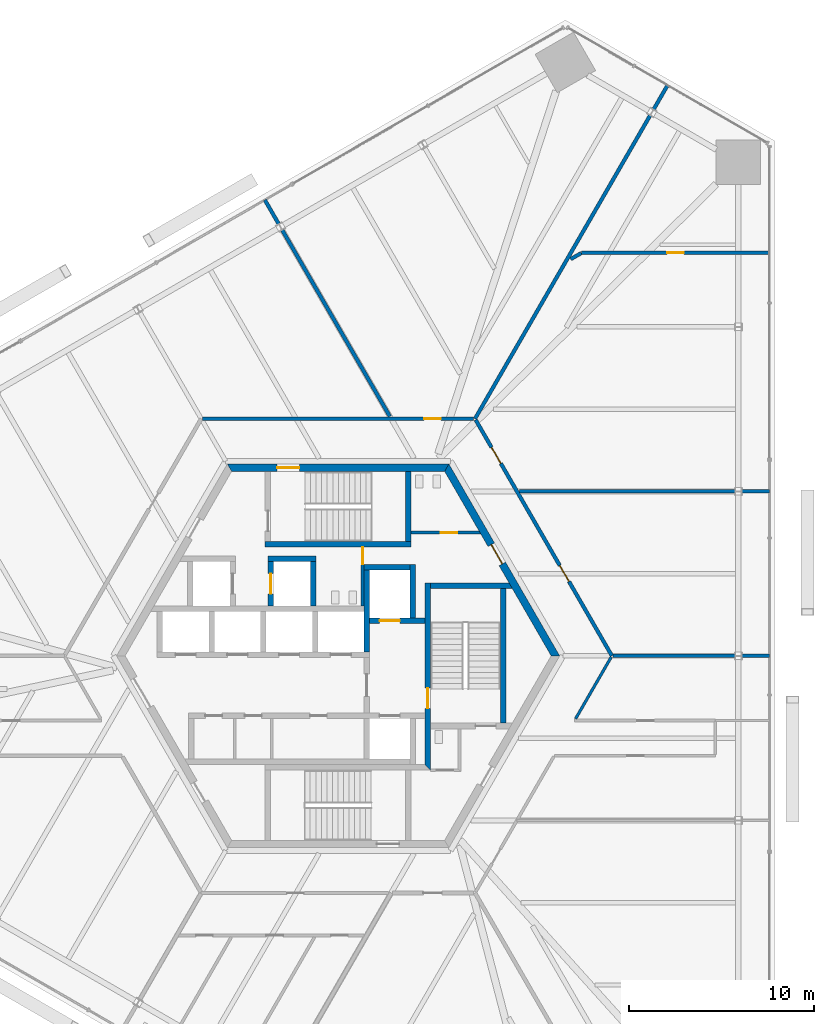
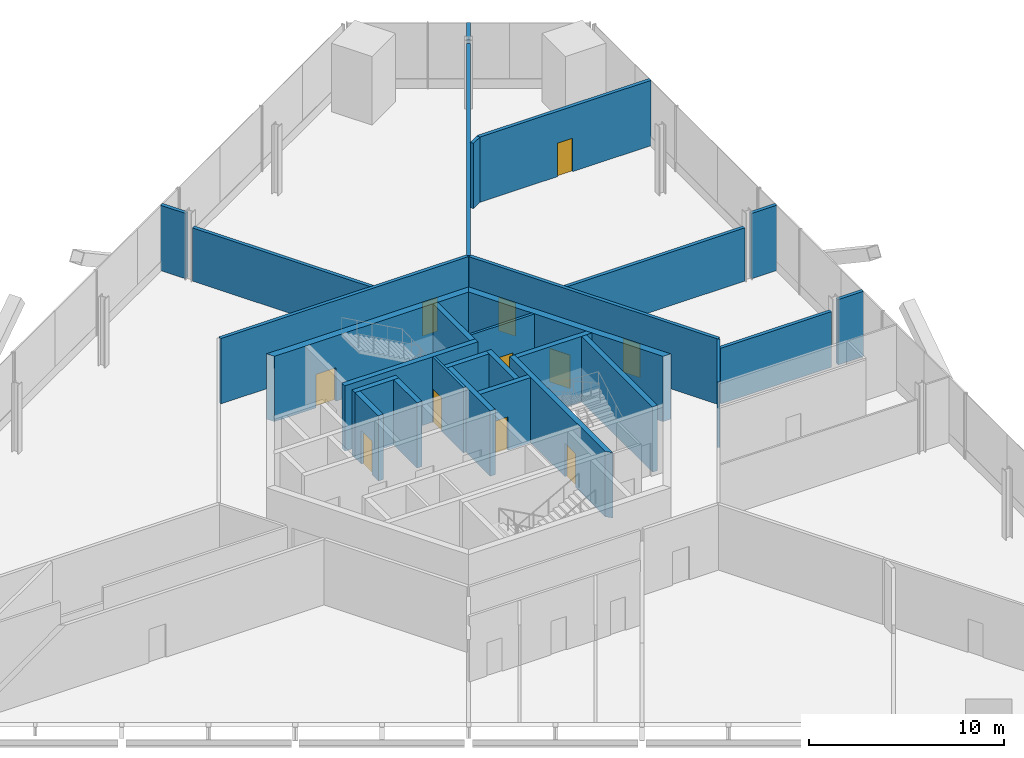
# One storey, part 12 of 15: 29 walls, 11 doors, 11 openings.
"""IFC4 building model written with IfcOpenShell, lengths in metres."""

from ifc_helpers import new_model, si_unit, direction, frame, frame_2d, origin, place, context, subcontext, project, spatial, polyline, rectangle, outline, extrude, source, transform, mapped, material, layer, layer_set, type_object, element, fill, save


model = new_model("IFC4")

# Units and contexts
model_context = context("Model", 3, precision=1e-05, world=origin(), true_north=direction((0.0, 1.0)))
body_context = subcontext(model_context, "Body", "Model", "MODEL_VIEW")
ifc_project = project(units=[si_unit("LENGTHUNIT", "METRE"), si_unit("AREAUNIT", "SQUARE_METRE"), si_unit("VOLUMEUNIT", "CUBIC_METRE"), si_unit("PLANEANGLEUNIT", "RADIAN"), si_unit("MASSUNIT", "GRAM", prefix="KILO")], contexts=[model_context])

# Site, building, storey
site_placement = place(None, origin())
site = spatial("IfcSite", under=ifc_project, at=site_placement, CompositionType="ELEMENT")
building_placement = place(site_placement, origin())
building = spatial("IfcBuilding", under=site, at=building_placement, Name="Triune Harvest Tower", CompositionType="ELEMENT")
storey_placement = place(building_placement, frame((0.0, 0.0, 28.89990234375)))
storey = spatial("IfcBuildingStorey", under=building, at=storey_placement, Name="L06", CompositionType="ELEMENT", Elevation=28.89990234375)

# Wall, opening, door
ifc_material_1 = material(Name="Gypsum board on steel studs", Category="steel")
ifc_layer_1 = layer(ifc_material_1, 0.199951171875)
ifc_layer_set_1 = layer_set([ifc_layer_1], Name="Gypsum board on steel studs")
wall_type_1 = type_object("IfcWallType", Name="Fire Wall 200 mm", PredefinedType="PARTITIONING", material=ifc_layer_set_1)
wall_1_placement = place(storey_placement, frame((13.191650390625, 21.82958984375, 0.0), z_axis=(0.0, 0.0, 1.0), x_axis=(1.0, 0.0, 0.0)))
wall_1 = element("IfcWall", 1, at=wall_1_placement, inside=storey, type_object=wall_type_1, Name="Partition L06 028", PredefinedType="PARTITIONING", context=body_context, shape_type="SweptSolid", body=[
    extrude(rectangle(XDim=10.1796875, YDim=0.199951171875, at=frame_2d((5.08984375, 0.0))), origin(), (0.0, 0.0, 1.0), 4.10009765625),
])
opening_1_placement = place(wall_1_placement, frame((4.6298828125, 0.0, 0.0)))
opening_1 = element("IfcOpeningElement", 2, at=opening_1_placement, cuts=wall_1, Name="Opening L06-006", PredefinedType="OPENING", context=body_context, shape_type="SweptSolid", body=[
    extrude(rectangle(XDim=0.89990234375, YDim=2.10009765625, at=frame_2d((0.449951171875, 1.050048828125))), frame((0.0, 0.10986328125, 0.0), z_axis=(0.0, -1.0, 0.0), x_axis=(1.0, 0.0, 0.0)), (0.0, 0.0, 1.0), 0.219970703125),
])
ifc_material_2 = material(Name="Timber and steel door set", Category="steel")
door_type_1 = type_object("IfcDoorType", Name="Single leaf door FD60 left hand 900 x 2100", OperationType="SINGLE_SWING_LEFT", PredefinedType="DOOR", material=ifc_material_2)
door_1_placement = place(opening_1_placement, origin())
door_1 = element("IfcDoor", 3, at=door_1_placement, inside=storey, type_object=door_type_1, Name="Door L06-006 Seed Laboratory 06.06", OperationType="SINGLE_SWING_LEFT", OverallHeight=2.10009765625, OverallWidth=0.89990234375, PredefinedType="DOOR", context=body_context, shape_type="SweptSolid", body=[
    extrude(rectangle(XDim=0.89990234375, YDim=2.10009765625, at=frame_2d((0.449951171875, 1.050048828125))), frame((0.0, 0.02490234375, 0.0), z_axis=(0.0, -1.0, 0.0), x_axis=(1.0, 0.0, 0.0)), (0.0, 0.0, 1.0), 0.050048828125),
])
fill(opening_1, door_1)

# Wall
wall_2_placement = place(storey_placement, frame((12.594482421875, 21.484619140625, 0.0), z_axis=(0.0, 0.0, 1.0), x_axis=(0.865932775861, 0.500160401961, 0.0)))
element("IfcWall", 4, at=wall_2_placement, inside=storey, type_object=wall_type_1, Name="Partition L06 030", PredefinedType="PARTITIONING", context=body_context, shape_type="SweptSolid", body=[
    extrude(rectangle(XDim=0.659423828125, YDim=0.199951171875, at=frame_2d((0.32958984375, 0.0))), origin(), (0.0, 0.0, 1.0), 4.10009765625),
])

# Wall, opening, door
ifc_material_3 = material(Name="Concrete 70 MPa", Category="concrete")
ifc_layer_2 = layer(ifc_material_3, 0.39990234375)
ifc_layer_set_2 = layer_set([ifc_layer_2], Name="Concrete 70 MPa")
wall_type_2 = type_object("IfcWallType", Name="Core wall 400", PredefinedType="SHEAR", material=ifc_layer_set_2)
shared_shape_1 = source(origin(), body_context, "Body", "SweptSolid", [
    extrude(outline(polyline([(-0.115478515625, -0.199951171875), (11.884521484375, -0.199951171875), (11.653564453125, 0.199951171875), (0.115478515625, 0.199951171875), (-0.115478515625, -0.199951171875)])), origin(), (0.0, 0.0, 1.0), 4.10009765625),
])
wall_3_placement = place(storey_placement, frame((11.76904296875, 0.0, 0.0), z_axis=(0.0, 0.0, 1.0), x_axis=(-0.499996592174, 0.866027371285, 0.0)))
wall_3 = element("IfcWall", 5, at=wall_3_placement, inside=storey, type_object=wall_type_2, Name="Hexagon 0 wall", PredefinedType="SHEAR", context=body_context, shape_type="MappedRepresentation", body=[
    mapped(shared_shape_1, transform((0.0, 0.0, 0.0), scale=1.0)),
])
opening_2_placement = place(wall_3_placement, frame((5.75048828125, 0.0, 0.0)))
opening_2 = element("IfcOpeningElement", 6, at=opening_2_placement, cuts=wall_3, Name="Opening CD-WCP", PredefinedType="OPENING", context=body_context, shape_type="SweptSolid", body=[
    extrude(rectangle(XDim=1.199951171875, YDim=2.10009765625, at=frame_2d((0.60009765625, 1.050048828125))), frame((0.0, 0.2099609375, 0.0), z_axis=(0.0, -1.0, 0.0), x_axis=(1.0, 0.0, 0.0)), (0.0, 0.0, 1.0), 0.419921875),
])
ifc_material_4 = material(Name="Steel S235", Category="steel")
door_type_2 = type_object("IfcDoorType", Name="Lobby door 1200 FD120", OperationType="SINGLE_SWING_LEFT", PredefinedType="DOOR", material=ifc_material_4)
door_2_placement = place(opening_2_placement, frame((1.199951171875, 0.0, 0.0), z_axis=(0.0, 0.0, 1.0), x_axis=(-1.0, 0.0, 0.0)))
door_2 = element("IfcDoor", 7, at=door_2_placement, inside=storey, type_object=door_type_2, Name="Door CD-WCP", OperationType="SINGLE_SWING_RIGHT", OverallHeight=2.10009765625, OverallWidth=1.199951171875, PredefinedType="DOOR", context=body_context, shape_type="SweptSolid", body=[
    extrude(rectangle(XDim=1.199951171875, YDim=2.10009765625, at=frame_2d((0.60009765625, 1.050048828125))), frame((0.0, 0.02490234375, 0.0), z_axis=(0.0, -1.0, 0.0), x_axis=(1.0, 0.0, 0.0)), (0.0, 0.0, 1.0), 0.050048828125),
])
fill(opening_2, door_2)

wall_4_placement = place(storey_placement, frame((5.884521484375, 10.1923828125, 0.0), z_axis=(0.0, 0.0, 1.0), x_axis=(-1.0, 0.0, 0.0)))
wall_4 = element("IfcWall", 8, at=wall_4_placement, inside=storey, type_object=wall_type_2, Name="Hexagon 1 wall", PredefinedType="SHEAR", context=body_context, shape_type="MappedRepresentation", body=[
    mapped(shared_shape_1, transform((0.0, 0.0, 0.0), scale=1.0)),
])
opening_3_placement = place(wall_4_placement, frame((7.984619140625, 0.0, 0.0)))
opening_3 = element("IfcOpeningElement", 9, at=opening_3_placement, cuts=wall_4, Name="Opening CD-S1P", PredefinedType="OPENING", context=body_context, shape_type="SweptSolid", body=[
    extrude(rectangle(XDim=1.199951171875, YDim=2.10009765625, at=frame_2d((0.60009765625, 1.050048828125))), frame((0.0, 0.2099609375, 0.0), z_axis=(0.0, -1.0, 0.0), x_axis=(1.0, 0.0, 0.0)), (0.0, 0.0, 1.0), 0.419921875),
])
ifc_material_5 = material(Name="Steel S235", Category="steel")
door_type_3 = type_object("IfcDoorType", Name="Stair door 1200 FD120", OperationType="SINGLE_SWING_LEFT", PredefinedType="DOOR", material=ifc_material_5)
door_3_placement = place(opening_3_placement, frame((1.199951171875, 0.0, 0.0), z_axis=(0.0, 0.0, 1.0), x_axis=(-1.0, 0.0, 0.0)))
door_3 = element("IfcDoor", 10, at=door_3_placement, inside=storey, type_object=door_type_3, Name="Door CD-S1P", OperationType="SINGLE_SWING_RIGHT", OverallHeight=2.10009765625, OverallWidth=1.199951171875, PredefinedType="DOOR", context=body_context, shape_type="SweptSolid", body=[
    extrude(rectangle(XDim=1.199951171875, YDim=2.10009765625, at=frame_2d((0.60009765625, 1.050048828125))), frame((0.0, 0.02490234375, 0.0), z_axis=(0.0, -1.0, 0.0), x_axis=(1.0, 0.0, 0.0)), (0.0, 0.0, 1.0), 0.050048828125),
])
fill(opening_3, door_3)

# Walls
ifc_material_6 = material(Name="Concrete 70 MPa", Category="concrete")
ifc_layer_3 = layer(ifc_material_6, 0.300048828125)
ifc_layer_set_3 = layer_set([ifc_layer_3], Name="Concrete 70 MPa")
wall_type_3 = type_object("IfcWallType", Name="Core wall 300", PredefinedType="SHEAR", material=ifc_layer_set_3)
shared_shape_2 = source(origin(), body_context, "Body", "SweptSolid", [
    extrude(rectangle(XDim=2.5, YDim=0.300048828125, at=frame_2d((1.25, 0.0))), origin(), (0.0, 0.0, 1.0), 4.10009765625),
])
wall_5_placement = place(storey_placement, frame((1.39990234375, 4.81005859375, 0.0), z_axis=(0.0, 0.0, 1.0), x_axis=(1.0, 0.0, 0.0)))
element("IfcWall", 11, at=wall_5_placement, inside=storey, type_object=wall_type_3, Name="Ff1 back wall", PredefinedType="SHEAR", context=body_context, shape_type="MappedRepresentation", body=[
    mapped(shared_shape_2, transform((0.0, 0.0, 0.0), scale=1.0)),
])
shared_shape_3 = source(origin(), body_context, "Body", "SweptSolid", [
    extrude(rectangle(XDim=4.449951171875, YDim=0.300048828125, at=frame_2d((2.22509765625, 0.0))), origin(), (0.0, 0.0, 1.0), 4.10009765625),
])
wall_6_placement = place(storey_placement, frame((1.550048828125, 0.2099609375, 0.0), z_axis=(0.0, 0.0, 1.0), x_axis=(0.0, 1.0, 0.0)))
element("IfcWall", 12, at=wall_6_placement, inside=storey, type_object=wall_type_3, Name="Ff1 west wall", PredefinedType="SHEAR", context=body_context, shape_type="MappedRepresentation", body=[
    mapped(shared_shape_3, transform((0.0, 0.0, 0.0), scale=1.0)),
])

# Wall, opening, door
shared_shape_4 = source(origin(), body_context, "Body", "SweptSolid", [
    extrude(rectangle(XDim=3.0, YDim=0.300048828125, at=frame_2d((1.5, 0.0))), origin(), (0.0, 0.0, 1.0), 4.10009765625),
])
wall_7_placement = place(storey_placement, frame((1.699951171875, 1.909912109375, 0.0), z_axis=(0.0, 0.0, 1.0), x_axis=(1.0, 0.0, 0.0)))
wall_7 = element("IfcWall", 13, at=wall_7_placement, inside=storey, type_object=wall_type_3, Name="Ff1 front wall", PredefinedType="SHEAR", context=body_context, shape_type="MappedRepresentation", body=[
    mapped(shared_shape_4, transform((0.0, 0.0, 0.0), scale=1.0)),
])
opening_4_placement = place(wall_7_placement, frame((0.550048828125, 0.0, 0.0)))
opening_4 = element("IfcOpeningElement", 14, at=opening_4_placement, cuts=wall_7, Name="Opening LD-FF1-06", PredefinedType="OPENING", context=body_context, shape_type="SweptSolid", body=[
    extrude(rectangle(XDim=1.10009765625, YDim=2.10009765625, at=frame_2d((0.550048828125, 1.050048828125))), frame((0.0, 0.16015625, 0.0), z_axis=(0.0, -1.0, 0.0), x_axis=(1.0, 0.0, 0.0)), (0.0, 0.0, 1.0), 0.320068359375),
])
ifc_material_7 = material(Name="Stainless steel AISI 304", Category="steel")
door_type_4 = type_object("IfcDoorType", Name="Landing door 1100 x 2100", OperationType="DOUBLE_DOOR_SLIDING", PredefinedType="DOOR", material=ifc_material_7)
door_4_placement = place(opening_4_placement, origin())
door_4 = element("IfcDoor", 15, at=door_4_placement, inside=storey, type_object=door_type_4, Name="Door LD-FF1-06", OperationType="DOUBLE_DOOR_SLIDING", OverallHeight=2.10009765625, OverallWidth=1.10009765625, PredefinedType="DOOR", context=body_context, shape_type="SweptSolid", body=[
    extrude(rectangle(XDim=1.10009765625, YDim=2.10009765625, at=frame_2d((0.550048828125, 1.050048828125))), frame((0.0, 0.02490234375, 0.0), z_axis=(0.0, -1.0, 0.0), x_axis=(1.0, 0.0, 0.0)), (0.0, 0.0, 1.0), 0.050048828125),
])
fill(opening_4, door_4)

# Wall
shared_shape_5 = source(origin(), body_context, "Body", "SweptSolid", [
    extrude(rectangle(XDim=2.89990234375, YDim=0.300048828125, at=frame_2d((1.449951171875, 0.0))), origin(), (0.0, 0.0, 1.0), 4.10009765625),
])
wall_8_placement = place(storey_placement, frame((4.050048828125, 2.06005859375, 0.0), z_axis=(0.0, 0.0, 1.0), x_axis=(0.0, 1.0, 0.0)))
element("IfcWall", 16, at=wall_8_placement, inside=storey, type_object=wall_type_3, Name="Ff1 east wall", PredefinedType="SHEAR", context=body_context, shape_type="MappedRepresentation", body=[
    mapped(shared_shape_5, transform((0.0, 0.0, 0.0), scale=1.0)),
])

# Wall, opening, door
shared_shape_6 = source(origin(), body_context, "Body", "SweptSolid", [
    extrude(outline(polyline([(-0.14990234375, -0.14990234375), (9.989990234375, -0.14990234375), (9.989990234375, 0.14990234375), (0.14990234375, 0.14990234375), (-0.14990234375, -0.14990234375)])), origin(), (0.0, 0.0, 1.0), 4.10009765625),
])
wall_9_placement = place(storey_placement, frame((4.85009765625, -6.0400390625, 0.0), z_axis=(0.0, 0.0, 1.0), x_axis=(0.0, 1.0, 0.0)))
wall_9 = element("IfcWall", 17, at=wall_9_placement, inside=storey, type_object=wall_type_3, Name="Stair e west wall", PredefinedType="SHEAR", context=body_context, shape_type="MappedRepresentation", body=[
    mapped(shared_shape_6, transform((0.0, 0.0, 0.0), scale=1.0)),
])
opening_5_placement = place(wall_9_placement, frame((3.18994140625, 0.0, 0.0)))
opening_5 = element("IfcOpeningElement", 18, at=opening_5_placement, cuts=wall_9, Name="Opening CD-S3L", PredefinedType="OPENING", context=body_context, shape_type="SweptSolid", body=[
    extrude(rectangle(XDim=1.10009765625, YDim=2.10009765625, at=frame_2d((0.550048828125, 1.050048828125))), frame((0.0, 0.16015625, 0.0), z_axis=(0.0, -1.0, 0.0), x_axis=(1.0, 0.0, 0.0)), (0.0, 0.0, 1.0), 0.320068359375),
])
ifc_material_8 = material(Name="Steel S235", Category="steel")
door_type_5 = type_object("IfcDoorType", Name="Stair door 1100 FD120", OperationType="SINGLE_SWING_LEFT", PredefinedType="DOOR", material=ifc_material_8)
door_5_placement = place(opening_5_placement, frame((1.10009765625, 0.0, 0.0), z_axis=(0.0, 0.0, 1.0), x_axis=(-1.0, 0.0, 0.0)))
door_5 = element("IfcDoor", 19, at=door_5_placement, inside=storey, type_object=door_type_5, Name="Door CD-S3L", OperationType="SINGLE_SWING_RIGHT", OverallHeight=2.10009765625, OverallWidth=1.10009765625, PredefinedType="DOOR", context=body_context, shape_type="SweptSolid", body=[
    extrude(rectangle(XDim=1.10009765625, YDim=2.10009765625, at=frame_2d((0.550048828125, 1.050048828125))), frame((0.0, 0.02490234375, 0.0), z_axis=(0.0, -1.0, 0.0), x_axis=(1.0, 0.0, 0.0)), (0.0, 0.0, 1.0), 0.050048828125),
])
fill(opening_5, door_5)

# Walls
shared_shape_7 = source(origin(), body_context, "Body", "SweptSolid", [
    extrude(outline(polyline([(0.0, -0.14990234375), (0.0, 0.14990234375), (4.260009765625, 0.14990234375), (4.43310546875, -0.14990234375), (0.0, -0.14990234375)])), origin(), (0.0, 0.0, 1.0), 4.10009765625),
])
wall_10_placement = place(storey_placement, frame((5.0, 3.800048828125, 0.0), z_axis=(0.0, 0.0, 1.0), x_axis=(1.0, 0.0, 0.0)))
element("IfcWall", 20, at=wall_10_placement, inside=storey, type_object=wall_type_3, Name="Stair e north wall", PredefinedType="SHEAR", context=body_context, shape_type="MappedRepresentation", body=[
    mapped(shared_shape_7, transform((0.0, 0.0, 0.0), scale=1.0)),
])
shared_shape_8 = source(origin(), body_context, "Body", "SweptSolid", [
    extrude(rectangle(XDim=7.2998046875, YDim=0.300048828125, at=frame_2d((3.64990234375, 0.0))), origin(), (0.0, 0.0, 1.0), 4.10009765625),
])
wall_11_placement = place(storey_placement, frame((8.949951171875, -3.64990234375, 0.0), z_axis=(0.0, 0.0, 1.0), x_axis=(0.0, 1.0, 0.0)))
element("IfcWall", 21, at=wall_11_placement, inside=storey, type_object=wall_type_3, Name="Stair e east wall", PredefinedType="SHEAR", context=body_context, shape_type="MappedRepresentation", body=[
    mapped(shared_shape_8, transform((0.0, 0.0, 0.0), scale=1.0)),
])
shared_shape_9 = source(origin(), body_context, "Body", "SweptSolid", [
    extrude(rectangle(XDim=7.89990234375, YDim=0.300048828125, at=frame_2d((3.949951171875, 0.0))), origin(), (0.0, 0.0, 1.0), 4.10009765625),
])
wall_12_placement = place(storey_placement, frame((-3.949951171875, 6.0400390625, 0.0), z_axis=(0.0, 0.0, 1.0), x_axis=(1.0, 0.0, 0.0)))
element("IfcWall", 22, at=wall_12_placement, inside=storey, type_object=wall_type_3, Name="Stair n south wall", PredefinedType="SHEAR", context=body_context, shape_type="MappedRepresentation", body=[
    mapped(shared_shape_9, transform((0.0, 0.0, 0.0), scale=1.0)),
])
shared_shape_10 = source(origin(), body_context, "Body", "SweptSolid", [
    extrude(outline(polyline([(0.0, -0.14990234375), (0.0, 0.14990234375), (3.80419921875, 0.14990234375), (3.80419921875, -0.14990234375), (0.0, -0.14990234375)])), origin(), (0.0, 0.0, 1.0), 4.10009765625),
])
wall_13_placement = place(storey_placement, frame((3.800048828125, 6.18994140625, 0.0), z_axis=(0.0, 0.0, 1.0), x_axis=(0.0, 1.0, 0.0)))
element("IfcWall", 23, at=wall_13_placement, inside=storey, type_object=wall_type_3, Name="Stair n east wall", PredefinedType="SHEAR", context=body_context, shape_type="MappedRepresentation", body=[
    mapped(shared_shape_10, transform((0.0, 0.0, 0.0), scale=1.0)),
])

# Wall, opening, door
shared_shape_11 = source(origin(), body_context, "Body", "SweptSolid", [
    extrude(rectangle(XDim=2.400146484375, YDim=0.300048828125, at=frame_2d((1.2001953125, 0.0))), origin(), (0.0, 0.0, 1.0), 4.10009765625),
])
wall_14_placement = place(storey_placement, frame((-3.64990234375, 2.7099609375, 0.0), z_axis=(0.0, 0.0, 1.0), x_axis=(0.0, 1.0, 0.0)))
wall_14 = element("IfcWall", 24, at=wall_14_placement, inside=storey, type_object=wall_type_3, Name="Sv2 west wall", PredefinedType="SHEAR", context=body_context, shape_type="MappedRepresentation", body=[
    mapped(shared_shape_11, transform((0.0, 0.0, 0.0), scale=1.0)),
])
opening_6_placement = place(wall_14_placement, frame((0.64990234375, 0.0, 0.0)))
opening_6 = element("IfcOpeningElement", 25, at=opening_6_placement, cuts=wall_14, Name="Opening LD-SV2-06", PredefinedType="OPENING", context=body_context, shape_type="SweptSolid", body=[
    extrude(rectangle(XDim=1.10009765625, YDim=2.10009765625, at=frame_2d((0.550048828125, 1.050048828125))), frame((0.0, 0.16015625, 0.0), z_axis=(0.0, -1.0, 0.0), x_axis=(1.0, 0.0, 0.0)), (0.0, 0.0, 1.0), 0.320068359375),
])
door_6_placement = place(opening_6_placement, origin())
door_6 = element("IfcDoor", 26, at=door_6_placement, inside=storey, type_object=door_type_4, Name="Door LD-SV2-06", OperationType="DOUBLE_DOOR_SLIDING", OverallHeight=2.10009765625, OverallWidth=1.10009765625, PredefinedType="DOOR", context=body_context, shape_type="SweptSolid", body=[
    extrude(rectangle(XDim=1.10009765625, YDim=2.10009765625, at=frame_2d((0.550048828125, 1.050048828125))), frame((0.0, 0.02490234375, 0.0), z_axis=(0.0, -1.0, 0.0), x_axis=(1.0, 0.0, 0.0)), (0.0, 0.0, 1.0), 0.050048828125),
])
fill(opening_6, door_6)

# Walls
wall_15_placement = place(storey_placement, frame((-1.35009765625, 2.7099609375, 0.0), z_axis=(0.0, 0.0, 1.0), x_axis=(0.0, 1.0, 0.0)))
element("IfcWall", 27, at=wall_15_placement, inside=storey, type_object=wall_type_3, Name="Sv2 east wall", PredefinedType="SHEAR", context=body_context, shape_type="MappedRepresentation", body=[
    mapped(shared_shape_11, transform((0.0, 0.0, 0.0), scale=1.0)),
])
shared_shape_12 = source(origin(), body_context, "Body", "SweptSolid", [
    extrude(rectangle(XDim=2.60009765625, YDim=0.300048828125, at=frame_2d((1.300048828125, 0.0))), origin(), (0.0, 0.0, 1.0), 4.10009765625),
])
wall_16_placement = place(storey_placement, frame((-3.800048828125, 5.260009765625, 0.0), z_axis=(0.0, 0.0, 1.0), x_axis=(1.0, 0.0, 0.0)))
element("IfcWall", 28, at=wall_16_placement, inside=storey, type_object=wall_type_3, Name="Sv2 north wall", PredefinedType="SHEAR", context=body_context, shape_type="MappedRepresentation", body=[
    mapped(shared_shape_12, transform((0.0, 0.0, 0.0), scale=1.0)),
])

# Wall, opening, door
ifc_material_9 = material(Name="Concrete masonry unit", Category="masonry")
ifc_layer_4 = layer(ifc_material_9, 0.14990234375)
ifc_layer_set_4 = layer_set([ifc_layer_4], Name="Concrete masonry unit")
wall_type_4 = type_object("IfcWallType", Name="Block partition 150 unrated", PredefinedType="PARTITIONING", material=ifc_layer_set_4)
shared_shape_13 = source(origin(), body_context, "Body", "SweptSolid", [
    extrude(rectangle(XDim=3.179931640625, YDim=0.14990234375, at=frame_2d((1.58984375, 0.0))), origin(), (0.0, 0.0, 1.0), 4.10009765625),
])
wall_17_placement = place(storey_placement, frame((1.324951171875, 2.7099609375, 0.0), z_axis=(0.0, 0.0, 1.0), x_axis=(0.0, 1.0, 0.0)))
wall_17 = element("IfcWall", 29, at=wall_17_placement, inside=storey, type_object=wall_type_4, Name="Wc men east wall", PredefinedType="PARTITIONING", context=body_context, shape_type="MappedRepresentation", body=[
    mapped(shared_shape_13, transform((0.0, 0.0, 0.0), scale=1.0)),
])
opening_7_placement = place(wall_17_placement, frame((2.264892578125, 0.0, 0.0)))
opening_7 = element("IfcOpeningElement", 30, at=opening_7_placement, cuts=wall_17, Name="Opening CD-WM", PredefinedType="OPENING", context=body_context, shape_type="SweptSolid", body=[
    extrude(rectangle(XDim=0.89990234375, YDim=2.10009765625, at=frame_2d((0.449951171875, 1.050048828125))), frame((0.0, 0.0849609375, 0.0), z_axis=(0.0, -1.0, 0.0), x_axis=(1.0, 0.0, 0.0)), (0.0, 0.0, 1.0), 0.169921875),
])
ifc_material_10 = material(Name="Timber C24", Category="wood")
door_type_6 = type_object("IfcDoorType", Name="WC door 900", OperationType="SINGLE_SWING_LEFT", PredefinedType="DOOR", material=ifc_material_10)
door_7_placement = place(opening_7_placement, origin())
door_7 = element("IfcDoor", 31, at=door_7_placement, inside=storey, type_object=door_type_6, Name="Door CD-WM", OperationType="SINGLE_SWING_LEFT", OverallHeight=2.10009765625, OverallWidth=0.89990234375, PredefinedType="DOOR", context=body_context, shape_type="SweptSolid", body=[
    extrude(rectangle(XDim=0.89990234375, YDim=2.10009765625, at=frame_2d((0.449951171875, 1.050048828125))), frame((0.0, 0.02490234375, 0.0), z_axis=(0.0, -1.0, 0.0), x_axis=(1.0, 0.0, 0.0)), (0.0, 0.0, 1.0), 0.050048828125),
])
fill(opening_7, door_7)

shared_shape_14 = source(origin(), body_context, "Body", "SweptSolid", [
    extrude(outline(polyline([(0.0, -0.074951171875), (0.0, 0.074951171875), (3.693359375, 0.074951171875), (3.77978515625, -0.074951171875), (0.0, -0.074951171875)])), origin(), (0.0, 0.0, 1.0), 4.10009765625),
])
wall_18_placement = place(storey_placement, frame((3.949951171875, 6.675048828125, 0.0), z_axis=(0.0, 0.0, 1.0), x_axis=(1.0, 0.0, 0.0)))
wall_18 = element("IfcWall", 32, at=wall_18_placement, inside=storey, type_object=wall_type_4, Name="Wc women south wall", PredefinedType="PARTITIONING", context=body_context, shape_type="MappedRepresentation", body=[
    mapped(shared_shape_14, transform((0.0, 0.0, 0.0), scale=1.0)),
])
opening_8_placement = place(wall_18_placement, frame((1.60009765625, 0.0, 0.0)))
opening_8 = element("IfcOpeningElement", 33, at=opening_8_placement, cuts=wall_18, Name="Opening CD-WW", PredefinedType="OPENING", context=body_context, shape_type="SweptSolid", body=[
    extrude(rectangle(XDim=0.89990234375, YDim=2.10009765625, at=frame_2d((0.449951171875, 1.050048828125))), frame((0.0, 0.0849609375, 0.0), z_axis=(0.0, -1.0, 0.0), x_axis=(1.0, 0.0, 0.0)), (0.0, 0.0, 1.0), 0.169921875),
])
door_8_placement = place(opening_8_placement, origin())
door_8 = element("IfcDoor", 34, at=door_8_placement, inside=storey, type_object=door_type_6, Name="Door CD-WW", OperationType="SINGLE_SWING_LEFT", OverallHeight=2.10009765625, OverallWidth=0.89990234375, PredefinedType="DOOR", context=body_context, shape_type="SweptSolid", body=[
    extrude(rectangle(XDim=0.89990234375, YDim=2.10009765625, at=frame_2d((0.449951171875, 1.050048828125))), frame((0.0, 0.02490234375, 0.0), z_axis=(0.0, -1.0, 0.0), x_axis=(1.0, 0.0, 0.0)), (0.0, 0.0, 1.0), 0.050048828125),
])
fill(opening_8, door_8)

# Walls
shared_shape_15 = source(origin(), body_context, "Body", "SweptSolid", [
    extrude(rectangle(XDim=1.49853515625, YDim=0.199951171875, at=frame_2d((0.749267578125, 0.0))), origin(), (0.0, 0.0, 1.0), 4.10009765625),
])
for number, where, z_axis, x_axis, name in (
    (35, (21.872802734375, 0.0, 0.0), (0.0, 0.0, 1.0), (1.0, 0.0, 0.0), "Partition L06 024"),
    (36, (21.872802734375, 8.909912109375, 0.0), (0.0, 0.0, 1.0), (1.0, 0.0, 0.0), "Partition L06 026"),
):
    element("IfcWall", number, at=place(storey_placement, frame(where, z_axis=z_axis, x_axis=x_axis)), inside=storey, type_object=wall_type_1, Name=name, PredefinedType="PARTITIONING", context=body_context, shape_type="MappedRepresentation", body=[
        mapped(shared_shape_15, transform((0.0, 0.0, 0.0), scale=1.0)),
    ])
shared_shape_16 = source(origin(), body_context, "Body", "SweptSolid", [
    extrude(rectangle(XDim=1.498779296875, YDim=0.199951171875, at=frame_2d((0.74951171875, 0.0))), origin(), (0.0, 0.0, 1.0), 4.10009765625),
])
for number, where, z_axis, x_axis, name in (
    (37, (-3.969482421875, 24.6953125, 0.0), (0.0, 0.0, 1.0), (0.499905760005, -0.866079806435, 0.0), "Partition L06 006"),
    (38, (17.0908203125, 29.602294921875, 0.0), (0.0, 0.0, 1.0), (0.499905760005, 0.866079806435, 0.0), "Partition L06 041"),
):
    element("IfcWall", number, at=place(storey_placement, frame(where, z_axis=z_axis, x_axis=x_axis)), inside=storey, type_object=wall_type_1, Name=name, PredefinedType="PARTITIONING", context=body_context, shape_type="MappedRepresentation", body=[
        mapped(shared_shape_16, transform((0.0, 0.0, 0.0), scale=1.0)),
    ])
ifc_material_11 = material(Name="Gypsum board on steel studs", Category="steel")
ifc_layer_5 = layer(ifc_material_11, 0.14990234375)
ifc_layer_set_5 = layer_set([ifc_layer_5], Name="Gypsum board on steel studs")
wall_type_5 = type_object("IfcWallType", Name="Fire Partition 150 mm", PredefinedType="PARTITIONING", material=ifc_layer_set_5)
shared_shape_17 = source(origin(), body_context, "Body", "SweptSolid", [
    extrude(rectangle(XDim=3.8671875, YDim=0.14990234375, at=frame_2d((1.93359375, 0.0))), origin(), (0.0, 0.0, 1.0), 4.10009765625),
])
wall_19_placement = place(storey_placement, frame((12.8603515625, -3.40966796875, 0.0), z_axis=(0.0, 0.0, 1.0), x_axis=(0.499995691662, 0.86602789119, 0.0)))
element("IfcWall", 39, at=wall_19_placement, inside=storey, type_object=wall_type_5, Name="Partition L06 033", PredefinedType="PARTITIONING", context=body_context, shape_type="MappedRepresentation", body=[
    mapped(shared_shape_17, transform((0.0, 0.0, 0.0), scale=1.0)),
])
shared_shape_18 = source(origin(), body_context, "Body", "SweptSolid", [
    extrude(rectangle(XDim=11.651611328125, YDim=0.199951171875, at=frame_2d((5.82568359375, 0.0))), origin(), (0.0, 0.0, 1.0), 3.343017578125),
])
for number, where, z_axis, x_axis, name in (
    (40, (-3.02685546875, 23.062744140625, 0.0), (0.0, 0.0, 1.0), (0.499992708539, -0.86602961347, 0.0), "Partition L06 007"),
    (41, (9.834716796875, 8.909912109375, 0.0), (0.0, 0.0, 1.0), (1.0, 0.0, 0.0), "Partition L06 025"),
):
    element("IfcWall", number, at=place(storey_placement, frame(where, z_axis=z_axis, x_axis=x_axis)), inside=storey, type_object=wall_type_1, Name=name, PredefinedType="PARTITIONING", context=body_context, shape_type="MappedRepresentation", body=[
        mapped(shared_shape_18, transform((0.0, 0.0, 0.0), scale=1.0)),
    ])

# Wall, openings, doors
shared_shape_19 = source(origin(), body_context, "Body", "SweptSolid", [
    extrude(rectangle(XDim=14.759033203125, YDim=0.199951171875, at=frame_2d((7.37939453125, 0.0))), origin(), (0.0, 0.0, 1.0), 4.10009765625),
])
wall_20_placement = place(storey_placement, frame((7.449462890625, 12.78173828125, 0.0), z_axis=(0.0, 0.0, 1.0), x_axis=(0.500005012202, -0.866022509969, 0.0)))
wall_20 = element("IfcWall", 42, at=wall_20_placement, inside=storey, type_object=wall_type_1, Name="Partition L06 008", PredefinedType="PARTITIONING", context=body_context, shape_type="MappedRepresentation", body=[
    mapped(shared_shape_19, transform((0.0, 0.0, 0.0), scale=1.0)),
])
opening_9_placement = place(wall_20_placement, frame((9.10888671875, 0.0, 0.0)))
opening_9 = element("IfcOpeningElement", 43, at=opening_9_placement, cuts=wall_20, Name="Opening L06-004", PredefinedType="OPENING", context=body_context, shape_type="SweptSolid", body=[
    extrude(rectangle(XDim=1.0, YDim=2.10009765625, at=frame_2d((0.5, 1.050048828125))), frame((0.0, 0.10986328125, 0.0), z_axis=(0.0, -1.0, 0.0), x_axis=(1.0, 0.0, 0.0)), (0.0, 0.0, 1.0), 0.219970703125),
])
opening_10_placement = place(wall_20_placement, frame((1.720703125, 0.0, 0.0)))
opening_10 = element("IfcOpeningElement", 44, at=opening_10_placement, cuts=wall_20, Name="Opening L06-005", PredefinedType="OPENING", context=body_context, shape_type="SweptSolid", body=[
    extrude(rectangle(XDim=1.0, YDim=2.10009765625, at=frame_2d((0.5, 1.050048828125))), frame((0.0, 0.10986328125, 0.0), z_axis=(0.0, -1.0, 0.0), x_axis=(1.0, 0.0, 0.0)), (0.0, 0.0, 1.0), 0.219970703125),
])
ifc_material_12 = material(Name="Timber and steel door set", Category="steel")
door_type_7 = type_object("IfcDoorType", Name="Wide single leaf door FD60 left hand 1000 x 2100", OperationType="SINGLE_SWING_LEFT", PredefinedType="DOOR", material=ifc_material_12)
door_9_placement = place(opening_10_placement, origin())
door_9 = element("IfcDoor", 45, at=door_9_placement, inside=storey, type_object=door_type_7, Name="Door L06-005 Herb Growing Room 06.05", OperationType="SINGLE_SWING_LEFT", OverallHeight=2.10009765625, OverallWidth=1.0, PredefinedType="DOOR", context=body_context, shape_type="SweptSolid", body=[
    extrude(rectangle(XDim=1.0, YDim=2.10009765625, at=frame_2d((0.5, 1.050048828125))), frame((0.0, 0.02490234375, 0.0), z_axis=(0.0, -1.0, 0.0), x_axis=(1.0, 0.0, 0.0)), (0.0, 0.0, 1.0), 0.050048828125),
])
fill(opening_10, door_9)
ifc_material_13 = material(Name="Timber and steel door set", Category="steel")
door_type_8 = type_object("IfcDoorType", Name="Wide single leaf door FD60 right hand 1000 x 2100", OperationType="SINGLE_SWING_RIGHT", PredefinedType="DOOR", material=ifc_material_13)
door_10_placement = place(opening_9_placement, origin())
door_10 = element("IfcDoor", 46, at=door_10_placement, inside=storey, type_object=door_type_8, Name="Door L06-004 Herb Growing Room 06.04", OperationType="SINGLE_SWING_RIGHT", OverallHeight=2.10009765625, OverallWidth=1.0, PredefinedType="DOOR", context=body_context, shape_type="SweptSolid", body=[
    extrude(rectangle(XDim=1.0, YDim=2.10009765625, at=frame_2d((0.5, 1.050048828125))), frame((0.0, 0.02490234375, 0.0), z_axis=(0.0, -1.0, 0.0), x_axis=(1.0, 0.0, 0.0)), (0.0, 0.0, 1.0), 0.050048828125),
])
fill(opening_9, door_10)

# Wall
shared_shape_20 = source(origin(), body_context, "Body", "SweptSolid", [
    extrude(rectangle(XDim=6.58740234375, YDim=0.199951171875, at=frame_2d((3.293701171875, 0.0))), origin(), (0.0, 0.0, 1.0), 3.48779296875),
])
wall_21_placement = place(storey_placement, frame((14.89892578125, 0.0, 0.0), z_axis=(0.0, 0.0, 1.0), x_axis=(1.0, 0.0, 0.0)))
element("IfcWall", 47, at=wall_21_placement, inside=storey, type_object=wall_type_1, Name="Partition L06 023", PredefinedType="PARTITIONING", context=body_context, shape_type="MappedRepresentation", body=[
    mapped(shared_shape_20, transform((0.0, 0.0, 0.0), scale=1.0)),
])

# Wall, opening, door
shared_shape_21 = source(origin(), body_context, "Body", "SweptSolid", [
    extrude(rectangle(XDim=14.68896484375, YDim=0.199951171875, at=frame_2d((7.344482421875, 0.0))), origin(), (0.0, 0.0, 1.0), 4.10009765625),
])
wall_22_placement = place(storey_placement, frame((-7.344482421875, 12.84228515625, 0.0), z_axis=(0.0, 0.0, 1.0), x_axis=(1.0, 0.0, 0.0)))
wall_22 = element("IfcWall", 48, at=wall_22_placement, inside=storey, type_object=wall_type_1, Name="Partition L06 027", PredefinedType="PARTITIONING", context=body_context, shape_type="MappedRepresentation", body=[
    mapped(shared_shape_21, transform((0.0, 0.0, 0.0), scale=1.0)),
])
opening_11_placement = place(wall_22_placement, frame((12.009033203125, 0.0, 0.0)))
opening_11 = element("IfcOpeningElement", 49, at=opening_11_placement, cuts=wall_22, Name="Opening L06-007", PredefinedType="OPENING", context=body_context, shape_type="SweptSolid", body=[
    extrude(rectangle(XDim=0.89990234375, YDim=2.10009765625, at=frame_2d((0.449951171875, 1.050048828125))), frame((0.0, 0.10986328125, 0.0), z_axis=(0.0, -1.0, 0.0), x_axis=(1.0, 0.0, 0.0)), (0.0, 0.0, 1.0), 0.219970703125),
])
ifc_material_14 = material(Name="Timber and steel door set", Category="steel")
door_type_9 = type_object("IfcDoorType", Name="Single leaf door FD60 right hand 900 x 2100", OperationType="SINGLE_SWING_RIGHT", PredefinedType="DOOR", material=ifc_material_14)
door_11_placement = place(opening_11_placement, origin())
door_11 = element("IfcDoor", 50, at=door_11_placement, inside=storey, type_object=door_type_9, Name="Door L06-007 Pump Room 06.07", OperationType="SINGLE_SWING_RIGHT", OverallHeight=2.10009765625, OverallWidth=0.89990234375, PredefinedType="DOOR", context=body_context, shape_type="SweptSolid", body=[
    extrude(rectangle(XDim=0.89990234375, YDim=2.10009765625, at=frame_2d((0.449951171875, 1.050048828125))), frame((0.0, 0.02490234375, 0.0), z_axis=(0.0, -1.0, 0.0), x_axis=(1.0, 0.0, 0.0)), (0.0, 0.0, 1.0), 0.050048828125),
])
fill(opening_11, door_11)

# Wall
shared_shape_22 = source(origin(), body_context, "Body", "SweptSolid", [
    extrude(rectangle(XDim=18.966552734375, YDim=0.199951171875, at=frame_2d((9.4833984375, 0.0))), origin(), (0.0, 0.0, 1.0), 4.10009765625),
])
wall_23_placement = place(storey_placement, frame((7.414306640625, 12.84228515625, 0.0), z_axis=(0.0, 0.0, 1.0), x_axis=(0.500004356295, 0.866022888662, 0.0)))
element("IfcWall", 51, at=wall_23_placement, inside=storey, type_object=wall_type_1, Name="Partition L06 040", PredefinedType="PARTITIONING", context=body_context, shape_type="MappedRepresentation", body=[
    mapped(shared_shape_22, transform((0.0, 0.0, 0.0), scale=1.0)),
])

save(model, "model.ifc")
